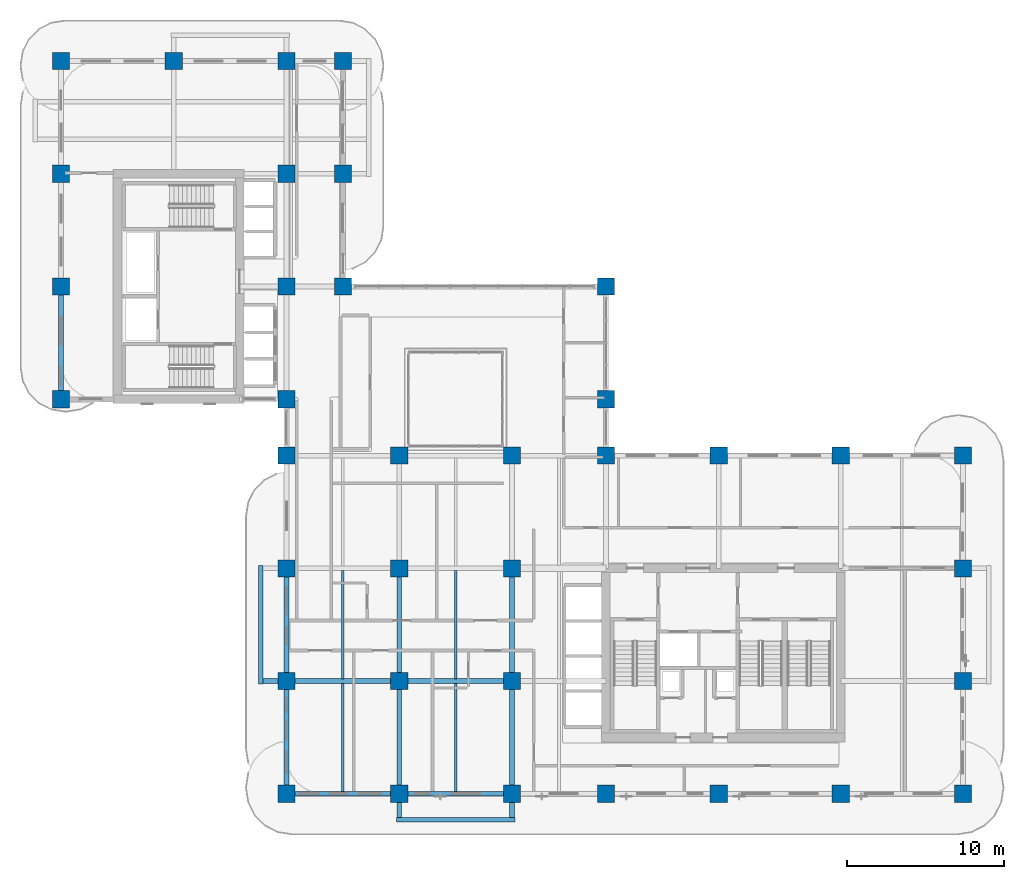
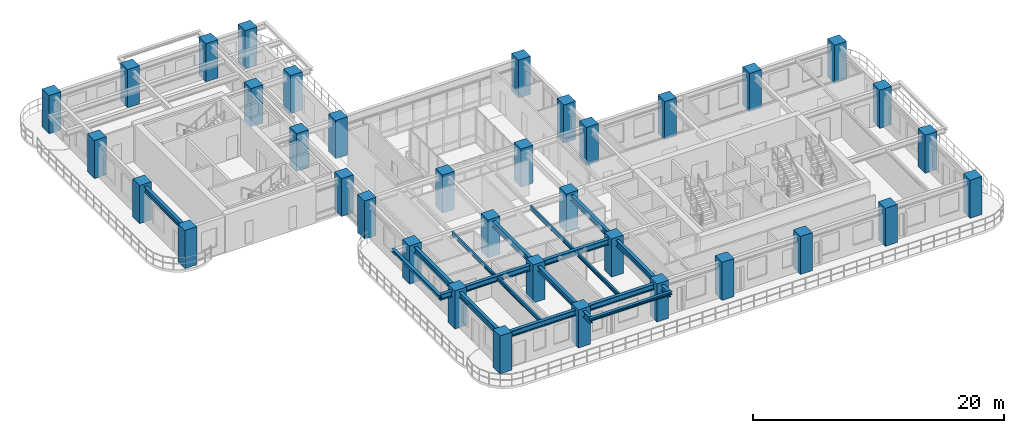
# One storey, part 1 of 22: 36 columns, 17 beams.
"""IFC4 building model written with IfcOpenShell, lengths in metres."""

from ifc_helpers import new_model, si_unit, derived_unit, direction, frame, origin, origin_2d, place, context, subcontext, project, spatial, rectangle, i_section, extrude, source, transform, mapped, material, material_profile, profile_set, type_object, type_shapes, element, save


model = new_model("IFC4")

# Units and contexts
model_context = context("Model", 3, precision=1e-05, world=origin(), true_north=direction((0.0, 1.0)))
body_context = subcontext(model_context, "Body", "Model", "MODEL_VIEW")
ifc_project = project(units=[si_unit("LENGTHUNIT", "METRE"), si_unit("AREAUNIT", "SQUARE_METRE"), si_unit("VOLUMEUNIT", "CUBIC_METRE"), si_unit("PLANEANGLEUNIT", "RADIAN"), si_unit("MASSUNIT", "GRAM", prefix="KILO"), si_unit("THERMODYNAMICTEMPERATUREUNIT", "KELVIN"), si_unit("POWERUNIT", "WATT"), derived_unit("THERMALTRANSMITTANCEUNIT", [(si_unit("POWERUNIT", "WATT"), 1), (si_unit("AREAUNIT", "SQUARE_METRE"), -1), (si_unit("THERMODYNAMICTEMPERATUREUNIT", "KELVIN"), -1)])], contexts=[model_context])

# Site, building, storey
site_placement = place(None, origin())
site = spatial("IfcSite", under=ifc_project, at=site_placement, CompositionType="ELEMENT")
building_placement = place(site_placement, origin())
building = spatial("IfcBuilding", under=site, at=building_placement, Name="Zahravan Archway Hotel and Residences", CompositionType="ELEMENT")
storey_placement = place(building_placement, frame((0.0, 0.0, 99.0)))
storey = spatial("IfcBuildingStorey", under=building, at=storey_placement, Name="L24", CompositionType="ELEMENT", Elevation=99.0)

# Columns
ifc_material_1 = material(Name="Concrete C70/85", Category="concrete")
ifc_material_profile_1 = material_profile(ifc_material_1, rectangle(XDim=1.10009765625, YDim=1.10009765625, at=origin_2d()), Name="RC 1100x1100", Category="concrete")
ifc_profile_set_1 = profile_set([ifc_material_profile_1], Name="Concrete C70/85")
column_type = type_object("IfcColumnType", Name="COL-RC-1100", PredefinedType="COLUMN", material=ifc_profile_set_1)
shared_shape_1 = source(origin(), body_context, "Body", "SweptSolid", [
    extrude(rectangle(XDim=1.10009765625, YDim=1.10009765625, at=origin_2d()), origin(), (0.0, 0.0, 1.0), 3.699951171875),
])
for number, where, z_axis, x_axis, name in (
    (1, (0.0, 25.199951171875, 0.0), (0.0, 0.0, 1.0), (1.0, 0.0, 0.0), "L24 Column 1-E"),
    (2, (0.0, 32.39990234375, 0.0), (0.0, 0.0, 1.0), (1.0, 0.0, 0.0), "L24 Column 1-F"),
    (3, (0.0, 39.60009765625, 0.0), (0.0, 0.0, 1.0), (1.0, 0.0, 0.0), "L24 Column 1-G"),
    (4, (0.0, 46.800048828125, 0.0), (0.0, 0.0, 1.0), (1.0, 0.0, 0.0), "L24 Column 1-H"),
    (5, (7.199951171875, 46.800048828125, 0.0), (0.0, 0.0, 1.0), (1.0, 0.0, 0.0), "L24 Column 2-H"),
    (6, (14.39990234375, 0.0, 0.0), (0.0, 0.0, 1.0), (1.0, 0.0, 0.0), "L24 Column 3-A"),
    (7, (14.39990234375, 7.199951171875, 0.0), (0.0, 0.0, 1.0), (1.0, 0.0, 0.0), "L24 Column 3-B"),
    (8, (14.39990234375, 14.39990234375, 0.0), (0.0, 0.0, 1.0), (1.0, 0.0, 0.0), "L24 Column 3-C"),
    (9, (14.39990234375, 21.60009765625, 0.0), (0.0, 0.0, 1.0), (1.0, 0.0, 0.0), "L24 Column 3-D"),
    (10, (14.39990234375, 25.199951171875, 0.0), (0.0, 0.0, 1.0), (1.0, 0.0, 0.0), "L24 Column 3-E"),
    (11, (14.39990234375, 32.39990234375, 0.0), (0.0, 0.0, 1.0), (1.0, 0.0, 0.0), "L24 Column 3-F"),
    (12, (14.39990234375, 39.60009765625, 0.0), (0.0, 0.0, 1.0), (1.0, 0.0, 0.0), "L24 Column 3-G"),
    (13, (14.39990234375, 46.800048828125, 0.0), (0.0, 0.0, 1.0), (1.0, 0.0, 0.0), "L24 Column 3-H"),
    (14, (21.60009765625, 0.0, 0.0), (0.0, 0.0, 1.0), (1.0, 0.0, 0.0), "L24 Column 4-A"),
    (15, (21.60009765625, 7.199951171875, 0.0), (0.0, 0.0, 1.0), (1.0, 0.0, 0.0), "L24 Column 4-B"),
    (16, (21.60009765625, 14.39990234375, 0.0), (0.0, 0.0, 1.0), (1.0, 0.0, 0.0), "L24 Column 4-C"),
    (17, (21.60009765625, 21.60009765625, 0.0), (0.0, 0.0, 1.0), (1.0, 0.0, 0.0), "L24 Column 4-D"),
    (18, (28.800048828125, 0.0, 0.0), (0.0, 0.0, 1.0), (1.0, 0.0, 0.0), "L24 Column 5-A"),
    (19, (28.800048828125, 7.199951171875, 0.0), (0.0, 0.0, 1.0), (1.0, 0.0, 0.0), "L24 Column 5-B"),
    (20, (28.800048828125, 14.39990234375, 0.0), (0.0, 0.0, 1.0), (1.0, 0.0, 0.0), "L24 Column 5-C"),
    (21, (28.800048828125, 21.60009765625, 0.0), (0.0, 0.0, 1.0), (1.0, 0.0, 0.0), "L24 Column 5-D"),
    (22, (34.800048828125, 0.0, 0.0), (0.0, 0.0, 1.0), (1.0, 0.0, 0.0), "L24 Column 6-A"),
    (23, (34.800048828125, 21.60009765625, 0.0), (0.0, 0.0, 1.0), (1.0, 0.0, 0.0), "L24 Column 6-D"),
    (24, (34.800048828125, 25.199951171875, 0.0), (0.0, 0.0, 1.0), (1.0, 0.0, 0.0), "L24 Column 6-E"),
    (25, (34.800048828125, 32.39990234375, 0.0), (0.0, 0.0, 1.0), (1.0, 0.0, 0.0), "L24 Column 6-F"),
    (26, (42.0, 0.0, 0.0), (0.0, 0.0, 1.0), (1.0, 0.0, 0.0), "L24 Column 7-A"),
    (27, (42.0, 21.60009765625, 0.0), (0.0, 0.0, 1.0), (1.0, 0.0, 0.0), "L24 Column 7-D"),
    (28, (49.800048828125, 0.0, 0.0), (0.0, 0.0, 1.0), (1.0, 0.0, 0.0), "L24 Column 8-A"),
    (29, (49.800048828125, 21.60009765625, 0.0), (0.0, 0.0, 1.0), (1.0, 0.0, 0.0), "L24 Column 8-D"),
    (30, (57.60009765625, 0.0, 0.0), (0.0, 0.0, 1.0), (1.0, 0.0, 0.0), "L24 Column 9-A"),
    (31, (57.60009765625, 7.199951171875, 0.0), (0.0, 0.0, 1.0), (1.0, 0.0, 0.0), "L24 Column 9-B"),
    (32, (57.60009765625, 14.39990234375, 0.0), (0.0, 0.0, 1.0), (1.0, 0.0, 0.0), "L24 Column 9-C"),
    (33, (57.60009765625, 21.60009765625, 0.0), (0.0, 0.0, 1.0), (1.0, 0.0, 0.0), "L24 Column 9-D"),
    (34, (18.0, 32.39990234375, 0.0), (0.0, 0.0, 1.0), (1.0, 0.0, 0.0), "L24 Column 3B-F"),
    (35, (18.0, 39.60009765625, 0.0), (0.0, 0.0, 1.0), (1.0, 0.0, 0.0), "L24 Column 3B-G"),
    (36, (18.0, 46.800048828125, 0.0), (0.0, 0.0, 1.0), (1.0, 0.0, 0.0), "L24 Column 3B-H"),
):
    element("IfcColumn", number, at=place(storey_placement, frame(where, z_axis=z_axis, x_axis=x_axis)), inside=storey, type_object=column_type, Name=name, PredefinedType="COLUMN", context=body_context, shape_type="MappedRepresentation", body=[
        mapped(shared_shape_1, transform((0.0, 0.0, 0.0), scale=1.0)),
    ])

# Beams
ifc_material_2 = material(Name="Structural Steel S355JR", Category="steel")
ifc_material_profile_2 = material_profile(ifc_material_2, i_section(OverallWidth=0.280029296875, OverallDepth=0.280029296875, WebThickness=0.010498046875, FlangeThickness=0.01806640625, FilletRadius=0.02392578125, at=origin_2d()), Name="HEB 280", Category="steel")
ifc_profile_set_2 = profile_set([ifc_material_profile_2], Name="Structural Steel S355JR")
beam_type_1 = type_object("IfcBeamType", Name="BM-SPN-HEB280", PredefinedType="SPANDREL", material=ifc_profile_set_2)
shared_shape_2 = source(origin(), body_context, "Body", "SweptSolid", [
    extrude(i_section(OverallWidth=0.280029296875, OverallDepth=0.280029296875, WebThickness=0.010498046875, FlangeThickness=0.01806640625, FilletRadius=0.02392578125, at=origin_2d()), origin(), (0.0, 0.0, 1.0), 7.56005859375),
])
type_shapes(beam_type_1, [shared_shape_2])
for number, where, z_axis, x_axis, name in (
    (37, (12.75, 7.02001953125, 3.31005859375), (0.0, 1.0, 0.0), (-1.0, 0.0, 0.0), "L25 WA Balcony Edge Spandrel"),
    (38, (21.419921875, -1.64990234375, 3.31005859375), (1.0, 0.0, 0.0), (0.0, 1.0, 0.0), "L25 SA Balcony Edge Spandrel"),
):
    element("IfcBeam", number, at=place(storey_placement, frame(where, z_axis=z_axis, x_axis=x_axis)), inside=storey, type_object=beam_type_1, Name=name, PredefinedType="SPANDREL", context=body_context, shape_type="MappedRepresentation", body=[
        mapped(shared_shape_2, transform((0.0, 0.0, 0.0), scale=1.0)),
    ])
ifc_material_profile_3 = material_profile(ifc_material_2, i_section(OverallWidth=0.300048828125, OverallDepth=0.550048828125, WebThickness=0.014892578125, FlangeThickness=0.029052734375, FilletRadius=0.027099609375, at=origin_2d()), Name="HEB 550", Category="steel")
ifc_profile_set_3 = profile_set([ifc_material_profile_3], Name="Structural Steel S355JR")
beam_type_2 = type_object("IfcBeamType", Name="BM-PRI-HEB550", PredefinedType="BEAM", material=ifc_profile_set_3)
shared_shape_3 = source(origin(), body_context, "Body", "SweptSolid", [
    extrude(i_section(OverallWidth=0.300048828125, OverallDepth=0.550048828125, WebThickness=0.014892578125, FlangeThickness=0.029052734375, FilletRadius=0.027099609375, at=origin_2d()), origin(), (0.0, 0.0, 1.0), 7.2001953125),
])
type_shapes(beam_type_2, [shared_shape_3])
beam_1_placement = place(storey_placement, frame((14.39990234375, 0.0, 3.175048828125), z_axis=(1.0, 0.0, 0.0), x_axis=(0.0, 1.0, 0.0)))
element("IfcBeam", 39, at=beam_1_placement, inside=storey, type_object=beam_type_2, Name="L24 Primary Girder EW-01", PredefinedType="BEAM", context=body_context, shape_type="MappedRepresentation", body=[
    mapped(shared_shape_3, transform((0.0, 0.0, 0.0), scale=1.0)),
])
shared_shape_4 = source(origin(), body_context, "Body", "SweptSolid", [
    extrude(i_section(OverallWidth=0.300048828125, OverallDepth=0.550048828125, WebThickness=0.014892578125, FlangeThickness=0.029052734375, FilletRadius=0.027099609375, at=origin_2d()), origin(), (0.0, 0.0, 1.0), 7.199951171875),
])
for number, where, z_axis, x_axis, name in (
    (40, (21.60009765625, 0.0, 3.175048828125), (1.0, 0.0, 0.0), (0.0, 1.0, 0.0), "L24 Primary Girder EW-02"),
    (41, (21.60009765625, 7.199951171875, 3.175048828125), (1.0, 0.0, 0.0), (0.0, 1.0, 0.0), "L24 Primary Girder EW-08"),
    (42, (0.0, 25.199951171875, 3.175048828125), (0.0, 1.0, 0.0), (-1.0, 0.0, 0.0), "L24 Primary Girder NS-28"),
    (43, (14.39990234375, 0.0, 3.175048828125), (0.0, 1.0, 0.0), (-1.0, 0.0, 0.0), "L24 Primary Girder NS-32"),
    (44, (14.39990234375, 7.199951171875, 3.175048828125), (0.0, 1.0, 0.0), (-1.0, 0.0, 0.0), "L24 Primary Girder NS-33"),
    (45, (21.60009765625, 7.199951171875, 3.175048828125), (0.0, 1.0, 0.0), (-1.0, 0.0, 0.0), "L24 Primary Girder NS-40"),
    (46, (28.800048828125, 7.199951171875, 3.175048828125), (0.0, 1.0, 0.0), (-1.0, 0.0, 0.0), "L24 Primary Girder NS-43"),
):
    element("IfcBeam", number, at=place(storey_placement, frame(where, z_axis=z_axis, x_axis=x_axis)), inside=storey, type_object=beam_type_2, Name=name, PredefinedType="BEAM", context=body_context, shape_type="MappedRepresentation", body=[
        mapped(shared_shape_4, transform((0.0, 0.0, 0.0), scale=1.0)),
    ])
shared_shape_5 = source(origin(), body_context, "Body", "SweptSolid", [
    extrude(i_section(OverallWidth=0.300048828125, OverallDepth=0.550048828125, WebThickness=0.014892578125, FlangeThickness=0.029052734375, FilletRadius=0.027099609375, at=origin_2d()), origin(), (0.0, 0.0, 1.0), 8.85009765625),
])
beam_2_placement = place(storey_placement, frame((12.75, 7.199951171875, 3.175048828125), z_axis=(1.0, 0.0, 0.0), x_axis=(0.0, 1.0, 0.0)))
element("IfcBeam", 47, at=beam_2_placement, inside=storey, type_object=beam_type_2, Name="L24 Primary Girder EW-07", PredefinedType="BEAM", context=body_context, shape_type="MappedRepresentation", body=[
    mapped(shared_shape_5, transform((0.0, 0.0, 0.0), scale=1.0)),
])
shared_shape_6 = source(origin(), body_context, "Body", "SweptSolid", [
    extrude(i_section(OverallWidth=0.300048828125, OverallDepth=0.550048828125, WebThickness=0.014892578125, FlangeThickness=0.029052734375, FilletRadius=0.027099609375, at=origin_2d()), origin(), (0.0, 0.0, 1.0), 8.849853515625),
])
for number, where, z_axis, x_axis, name in (
    (48, (21.60009765625, -1.64990234375, 3.175048828125), (0.0, 1.0, 0.0), (-1.0, 0.0, 0.0), "L24 Primary Girder NS-39"),
    (49, (28.800048828125, -1.64990234375, 3.175048828125), (0.0, 1.0, 0.0), (-1.0, 0.0, 0.0), "L24 Primary Girder NS-42"),
):
    element("IfcBeam", number, at=place(storey_placement, frame(where, z_axis=z_axis, x_axis=x_axis)), inside=storey, type_object=beam_type_2, Name=name, PredefinedType="BEAM", context=body_context, shape_type="MappedRepresentation", body=[
        mapped(shared_shape_6, transform((0.0, 0.0, 0.0), scale=1.0)),
    ])
ifc_material_profile_4 = material_profile(ifc_material_2, i_section(OverallWidth=0.169921875, OverallDepth=0.360107421875, WebThickness=0.008056640625, FlangeThickness=0.0126953125, FilletRadius=0.01806640625, at=origin_2d()), Name="IPE 360", Category="steel")
ifc_profile_set_4 = profile_set([ifc_material_profile_4], Name="Structural Steel S355JR")
beam_type_3 = type_object("IfcBeamType", Name="BM-JST-IPE360", PredefinedType="JOIST", material=ifc_profile_set_4)
shared_shape_7 = source(origin(), body_context, "Body", "SweptSolid", [
    extrude(i_section(OverallWidth=0.169921875, OverallDepth=0.360107421875, WebThickness=0.008056640625, FlangeThickness=0.0126953125, FilletRadius=0.01806640625, at=origin_2d()), origin(), (0.0, 0.0, 1.0), 6.904052734375),
])
type_shapes(beam_type_3, [shared_shape_7])
for number, where, z_axis, x_axis, name in (
    (50, (18.0, 0.14794921875, 3.27001953125), (0.0, 1.0, 0.0), (-1.0, 0.0, 0.0), "L24 Composite Floor Joist 01"),
    (51, (25.199951171875, 0.14794921875, 3.27001953125), (0.0, 1.0, 0.0), (-1.0, 0.0, 0.0), "L24 Composite Floor Joist 02"),
    (52, (18.0, 7.347900390625, 3.27001953125), (0.0, 1.0, 0.0), (-1.0, 0.0, 0.0), "L24 Composite Floor Joist 05"),
    (53, (25.199951171875, 7.347900390625, 3.27001953125), (0.0, 1.0, 0.0), (-1.0, 0.0, 0.0), "L24 Composite Floor Joist 06"),
):
    element("IfcBeam", number, at=place(storey_placement, frame(where, z_axis=z_axis, x_axis=x_axis)), inside=storey, type_object=beam_type_3, Name=name, PredefinedType="JOIST", context=body_context, shape_type="MappedRepresentation", body=[
        mapped(shared_shape_7, transform((0.0, 0.0, 0.0), scale=1.0)),
    ])

save(model, "model.ifc")
